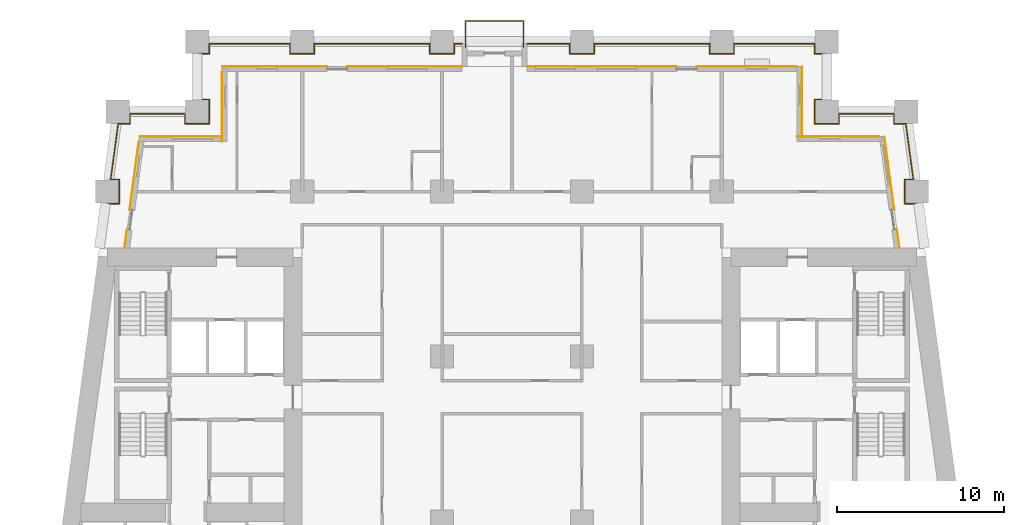
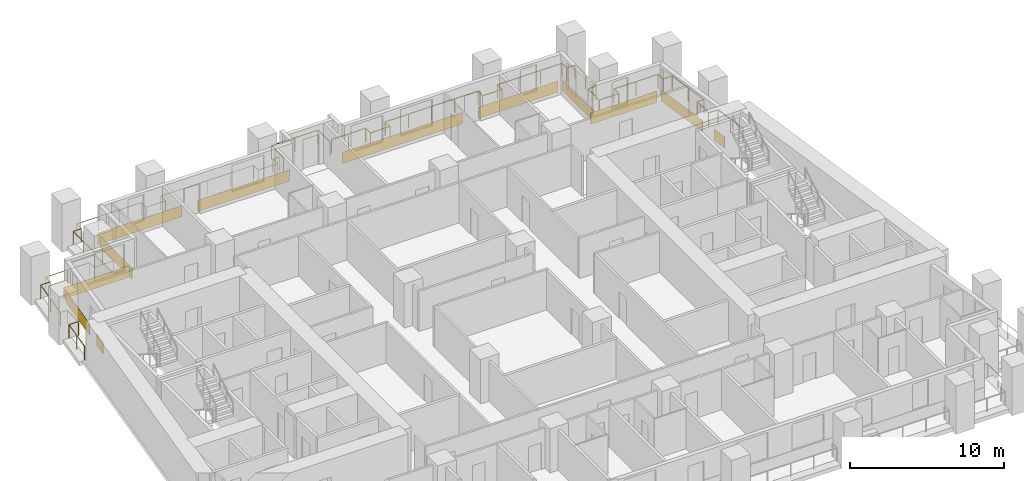
# One storey, part 11 of 12: 12 coverings, 3 railings.
"""IFC4 building model written with IfcOpenShell, lengths in metres."""

from ifc_helpers import new_model, si_unit, direction, frame, origin, origin_2d, place, context, subcontext, project, spatial, rectangle, circle, extrude, material, layer, layer_set, type_object, element, save


model = new_model("IFC4")

# Units and contexts
model_context = context("Model", 3, precision=1e-05, world=origin(), true_north=direction((0.0, 1.0)))
body_context = subcontext(model_context, "Body", "Model", "MODEL_VIEW")
ifc_project = project(units=[si_unit("LENGTHUNIT", "METRE"), si_unit("AREAUNIT", "SQUARE_METRE"), si_unit("VOLUMEUNIT", "CUBIC_METRE"), si_unit("PLANEANGLEUNIT", "RADIAN"), si_unit("MASSUNIT", "GRAM", prefix="KILO")], contexts=[model_context])

# Site, building, storey
site_placement = place(None, origin())
site = spatial("IfcSite", under=ifc_project, at=site_placement, CompositionType="ELEMENT")
building_placement = place(site_placement, origin())
building = spatial("IfcBuilding", under=site, at=building_placement, Name="Candeia Pilgrim Tower and Theatre", CompositionType="ELEMENT")
storey_placement = place(building_placement, frame((0.0, 0.0, 39.0)))
storey = spatial("IfcBuildingStorey", under=building, at=storey_placement, Name="L06", CompositionType="ELEMENT", Elevation=39.0)

# Railings
ifc_material_1 = material(Name="Stainless steel balustrade", Category="steel")
railing_type = type_object("IfcRailingType", Name="G1 loggia guard 1100", PredefinedType="GUARDRAIL", material=ifc_material_1)
railing_1_placement = place(storey_placement, frame((88.758544921875, 132.449951171875, 0.0)))
element("IfcRailing", 1, at=railing_1_placement, inside=storey, type_object=railing_type, Name="Guard L06.2", PredefinedType="GUARDRAIL", context=body_context, shape_type="SweptSolid", body=[
    extrude(circle(Radius=0.02392578125, at=origin_2d()), frame((0.0, 0.0, 1.076171875), z_axis=(0.133439920495, 0.991056904329, 0.0), x_axis=(-0.991056904329, 0.133439920495, 0.0)), (0.0, 0.0, 1.0), 2.643798828125),
    extrude(circle(Radius=0.02392578125, at=origin_2d()), frame((0.352783203125, 2.6201171875, 1.076171875), z_axis=(1.0, 0.0, 0.0), x_axis=(0.0, 1.0, 0.0)), (0.0, 0.0, 1.0), 0.70703125),
    extrude(circle(Radius=0.02392578125, at=origin_2d()), frame((1.059814453125, 2.6201171875, 1.076171875), z_axis=(0.0, 1.0, 0.0), x_axis=(-1.0, 0.0, 0.0)), (0.0, 0.0, 1.0), 1.4599609375),
    extrude(circle(Radius=0.02392578125, at=origin_2d()), frame((1.059814453125, 4.080078125, 1.076171875), z_axis=(-1.0, 0.0, 0.0), x_axis=(0.0, -1.0, 0.0)), (0.0, 0.0, 1.0), 0.510498046875),
    extrude(circle(Radius=0.02392578125, at=origin_2d()), frame((0.54931640625, 4.080078125, 1.076171875), z_axis=(0.133364121373, 0.991067107279, 0.0), x_axis=(-0.991067107279, 0.133364121373, 0.0)), (0.0, 0.0, 1.0), 3.3701171875),
    extrude(circle(Radius=0.02392578125, at=origin_2d()), frame((0.998779296875, 7.420166015625, 1.076171875), z_axis=(1.0, 0.0, 0.0), x_axis=(0.0, 1.0, 0.0)), (0.0, 0.0, 1.0), 0.707275390625),
    extrude(circle(Radius=0.02392578125, at=origin_2d()), frame((1.7060546875, 7.420166015625, 1.076171875), z_axis=(0.0, 1.0, 0.0), x_axis=(-1.0, 0.0, 0.0)), (0.0, 0.0, 1.0), 0.60986328125),
    extrude(circle(Radius=0.02392578125, at=origin_2d()), frame((1.7060546875, 8.030029296875, 1.076171875), z_axis=(1.0, 0.0, 0.0), x_axis=(0.0, 1.0, 0.0)), (0.0, 0.0, 1.0), 3.305419921875),
    extrude(circle(Radius=0.02392578125, at=origin_2d()), frame((5.011474609375, 8.030029296875, 1.076171875), z_axis=(0.0, -1.0, 0.0), x_axis=(1.0, 0.0, 0.0)), (0.0, 0.0, 1.0), 0.60986328125),
    extrude(circle(Radius=0.02392578125, at=origin_2d()), frame((5.011474609375, 7.420166015625, 1.076171875), z_axis=(1.0, 0.0, 0.0), x_axis=(0.0, 1.0, 0.0)), (0.0, 0.0, 1.0), 1.4599609375),
    extrude(circle(Radius=0.02392578125, at=origin_2d()), frame((6.471435546875, 7.420166015625, 1.076171875), z_axis=(0.0, 1.0, 0.0), x_axis=(-1.0, 0.0, 0.0)), (0.0, 0.0, 1.0), 1.4599609375),
    extrude(circle(Radius=0.02392578125, at=origin_2d()), frame((6.471435546875, 8.880126953125, 1.076171875), z_axis=(-1.0, 0.0, 0.0), x_axis=(0.0, -1.0, 0.0)), (0.0, 0.0, 1.0), 0.60986328125),
    extrude(circle(Radius=0.02392578125, at=origin_2d()), frame((5.861572265625, 8.880126953125, 1.076171875), z_axis=(0.0, 1.0, 0.0), x_axis=(-1.0, 0.0, 0.0)), (0.0, 0.0, 1.0), 2.739990234375),
    extrude(circle(Radius=0.02392578125, at=origin_2d()), frame((5.861572265625, 11.6201171875, 1.076171875), z_axis=(1.0, 0.0, 0.0), x_axis=(0.0, 1.0, 0.0)), (0.0, 0.0, 1.0), 0.60986328125),
    extrude(circle(Radius=0.02392578125, at=origin_2d()), frame((6.471435546875, 11.6201171875, 1.076171875), z_axis=(0.0, 1.0, 0.0), x_axis=(-1.0, 0.0, 0.0)), (0.0, 0.0, 1.0), 0.60986328125),
    extrude(circle(Radius=0.02392578125, at=origin_2d()), frame((6.471435546875, 12.22998046875, 1.076171875), z_axis=(1.0, 0.0, 0.0), x_axis=(0.0, 1.0, 0.0)), (0.0, 0.0, 1.0), 4.840087890625),
    extrude(circle(Radius=0.02392578125, at=origin_2d()), frame((11.3115234375, 12.22998046875, 1.076171875), z_axis=(0.0, -1.0, 0.0), x_axis=(1.0, 0.0, 0.0)), (0.0, 0.0, 1.0), 0.60986328125),
    extrude(circle(Radius=0.02392578125, at=origin_2d()), frame((11.3115234375, 11.6201171875, 1.076171875), z_axis=(1.0, 0.0, 0.0), x_axis=(0.0, 1.0, 0.0)), (0.0, 0.0, 1.0), 1.4599609375),
    extrude(circle(Radius=0.02392578125, at=origin_2d()), frame((12.771484375, 11.6201171875, 1.076171875), z_axis=(0.0, 1.0, 0.0), x_axis=(-1.0, 0.0, 0.0)), (0.0, 0.0, 1.0), 0.60986328125),
    extrude(circle(Radius=0.02392578125, at=origin_2d()), frame((12.771484375, 12.22998046875, 1.076171875), z_axis=(1.0, 0.0, 0.0), x_axis=(0.0, 1.0, 0.0)), (0.0, 0.0, 1.0), 6.93994140625),
    extrude(circle(Radius=0.02392578125, at=origin_2d()), frame((19.71142578125, 12.22998046875, 1.076171875), z_axis=(0.0, -1.0, 0.0), x_axis=(1.0, 0.0, 0.0)), (0.0, 0.0, 1.0), 0.60986328125),
    extrude(circle(Radius=0.02392578125, at=origin_2d()), frame((19.71142578125, 11.6201171875, 1.076171875), z_axis=(1.0, 0.0, 0.0), x_axis=(0.0, 1.0, 0.0)), (0.0, 0.0, 1.0), 1.4599609375),
    extrude(circle(Radius=0.02392578125, at=origin_2d()), frame((21.17138671875, 11.6201171875, 1.076171875), z_axis=(0.0, 1.0, 0.0), x_axis=(-1.0, 0.0, 0.0)), (0.0, 0.0, 1.0), 0.60986328125),
    extrude(circle(Radius=0.02392578125, at=origin_2d()), frame((21.17138671875, 12.22998046875, 1.076171875), z_axis=(1.0, 0.0, 0.0), x_axis=(0.0, 1.0, 0.0)), (0.0, 0.0, 1.0), 0.469970703125),
    extrude(circle(Radius=0.02099609375, at=origin_2d()), origin(), (0.0, 0.0, 1.0), 1.052001953125),
    extrude(circle(Radius=0.02099609375, at=origin_2d()), frame((0.17626953125, 1.31005859375, 0.0)), (0.0, 0.0, 1.0), 1.052001953125),
    extrude(circle(Radius=0.02099609375, at=origin_2d()), frame((0.352783203125, 2.6201171875, 0.0)), (0.0, 0.0, 1.0), 1.052001953125),
    extrude(circle(Radius=0.02099609375, at=origin_2d()), frame((1.059814453125, 2.6201171875, 0.0)), (0.0, 0.0, 1.0), 1.052001953125),
    extrude(circle(Radius=0.02099609375, at=origin_2d()), frame((1.059814453125, 4.080078125, 0.0)), (0.0, 0.0, 1.0), 1.052001953125),
    extrude(circle(Radius=0.02099609375, at=origin_2d()), frame((0.54931640625, 4.080078125, 0.0)), (0.0, 0.0, 1.0), 1.052001953125),
    extrude(circle(Radius=0.02099609375, at=origin_2d()), frame((0.77392578125, 5.75, 0.0)), (0.0, 0.0, 1.0), 1.052001953125),
    extrude(circle(Radius=0.02099609375, at=origin_2d()), frame((0.998779296875, 7.420166015625, 0.0)), (0.0, 0.0, 1.0), 1.052001953125),
    extrude(circle(Radius=0.02099609375, at=origin_2d()), frame((1.7060546875, 7.420166015625, 0.0)), (0.0, 0.0, 1.0), 1.052001953125),
    extrude(circle(Radius=0.02099609375, at=origin_2d()), frame((1.7060546875, 8.030029296875, 0.0)), (0.0, 0.0, 1.0), 1.052001953125),
    extrude(circle(Radius=0.02099609375, at=origin_2d()), frame((3.35888671875, 8.030029296875, 0.0)), (0.0, 0.0, 1.0), 1.052001953125),
    extrude(circle(Radius=0.02099609375, at=origin_2d()), frame((5.011474609375, 8.030029296875, 0.0)), (0.0, 0.0, 1.0), 1.052001953125),
    extrude(circle(Radius=0.02099609375, at=origin_2d()), frame((5.011474609375, 7.420166015625, 0.0)), (0.0, 0.0, 1.0), 1.052001953125),
    extrude(circle(Radius=0.02099609375, at=origin_2d()), frame((6.471435546875, 7.420166015625, 0.0)), (0.0, 0.0, 1.0), 1.052001953125),
    extrude(circle(Radius=0.02099609375, at=origin_2d()), frame((6.471435546875, 8.880126953125, 0.0)), (0.0, 0.0, 1.0), 1.052001953125),
    extrude(circle(Radius=0.02099609375, at=origin_2d()), frame((5.861572265625, 8.880126953125, 0.0)), (0.0, 0.0, 1.0), 1.052001953125),
    extrude(circle(Radius=0.02099609375, at=origin_2d()), frame((5.861572265625, 10.25, 0.0)), (0.0, 0.0, 1.0), 1.052001953125),
    extrude(circle(Radius=0.02099609375, at=origin_2d()), frame((5.861572265625, 11.6201171875, 0.0)), (0.0, 0.0, 1.0), 1.052001953125),
    extrude(circle(Radius=0.02099609375, at=origin_2d()), frame((6.471435546875, 11.6201171875, 0.0)), (0.0, 0.0, 1.0), 1.052001953125),
    extrude(circle(Radius=0.02099609375, at=origin_2d()), frame((6.471435546875, 12.22998046875, 0.0)), (0.0, 0.0, 1.0), 1.052001953125),
    extrude(circle(Radius=0.02099609375, at=origin_2d()), frame((8.084716796875, 12.22998046875, 0.0)), (0.0, 0.0, 1.0), 1.052001953125),
    extrude(circle(Radius=0.02099609375, at=origin_2d()), frame((9.6982421875, 12.22998046875, 0.0)), (0.0, 0.0, 1.0), 1.052001953125),
    extrude(circle(Radius=0.02099609375, at=origin_2d()), frame((11.3115234375, 12.22998046875, 0.0)), (0.0, 0.0, 1.0), 1.052001953125),
    extrude(circle(Radius=0.02099609375, at=origin_2d()), frame((11.3115234375, 11.6201171875, 0.0)), (0.0, 0.0, 1.0), 1.052001953125),
    extrude(circle(Radius=0.02099609375, at=origin_2d()), frame((12.771484375, 11.6201171875, 0.0)), (0.0, 0.0, 1.0), 1.052001953125),
    extrude(circle(Radius=0.02099609375, at=origin_2d()), frame((12.771484375, 12.22998046875, 0.0)), (0.0, 0.0, 1.0), 1.052001953125),
    extrude(circle(Radius=0.02099609375, at=origin_2d()), frame((14.50634765625, 12.22998046875, 0.0)), (0.0, 0.0, 1.0), 1.052001953125),
    extrude(circle(Radius=0.02099609375, at=origin_2d()), frame((16.241455078125, 12.22998046875, 0.0)), (0.0, 0.0, 1.0), 1.052001953125),
    extrude(circle(Radius=0.02099609375, at=origin_2d()), frame((17.9765625, 12.22998046875, 0.0)), (0.0, 0.0, 1.0), 1.052001953125),
    extrude(circle(Radius=0.02099609375, at=origin_2d()), frame((19.71142578125, 12.22998046875, 0.0)), (0.0, 0.0, 1.0), 1.052001953125),
    extrude(circle(Radius=0.02099609375, at=origin_2d()), frame((19.71142578125, 11.6201171875, 0.0)), (0.0, 0.0, 1.0), 1.052001953125),
    extrude(circle(Radius=0.02099609375, at=origin_2d()), frame((21.17138671875, 11.6201171875, 0.0)), (0.0, 0.0, 1.0), 1.052001953125),
    extrude(circle(Radius=0.02099609375, at=origin_2d()), frame((21.17138671875, 12.22998046875, 0.0)), (0.0, 0.0, 1.0), 1.052001953125),
    extrude(circle(Radius=0.02099609375, at=origin_2d()), frame((21.641357421875, 12.22998046875, 0.0)), (0.0, 0.0, 1.0), 1.052001953125),
])
railing_2_placement = place(storey_placement, frame((114.300048828125, 144.679931640625, 0.0)))
element("IfcRailing", 2, at=railing_2_placement, inside=storey, type_object=railing_type, Name="Guard L06.3", PredefinedType="GUARDRAIL", context=body_context, shape_type="SweptSolid", body=[
    extrude(circle(Radius=0.02392578125, at=origin_2d()), frame((0.0, 0.0, 1.076171875), z_axis=(1.0, 0.0, 0.0), x_axis=(0.0, 1.0, 0.0)), (0.0, 0.0, 1.0), 2.570068359375),
    extrude(circle(Radius=0.02392578125, at=origin_2d()), frame((2.570068359375, 0.0, 1.076171875), z_axis=(0.0, -1.0, 0.0), x_axis=(1.0, 0.0, 0.0)), (0.0, 0.0, 1.0), 0.60986328125),
    extrude(circle(Radius=0.02392578125, at=origin_2d()), frame((2.570068359375, -0.60986328125, 1.076171875), z_axis=(1.0, 0.0, 0.0), x_axis=(0.0, 1.0, 0.0)), (0.0, 0.0, 1.0), 1.4599609375),
    extrude(circle(Radius=0.02392578125, at=origin_2d()), frame((4.030029296875, -0.60986328125, 1.076171875), z_axis=(0.0, 1.0, 0.0), x_axis=(-1.0, 0.0, 0.0)), (0.0, 0.0, 1.0), 0.60986328125),
    extrude(circle(Radius=0.02392578125, at=origin_2d()), frame((4.030029296875, 0.0, 1.076171875), z_axis=(1.0, 0.0, 0.0), x_axis=(0.0, 1.0, 0.0)), (0.0, 0.0, 1.0), 6.93994140625),
    extrude(circle(Radius=0.02392578125, at=origin_2d()), frame((10.969970703125, 0.0, 1.076171875), z_axis=(0.0, -1.0, 0.0), x_axis=(1.0, 0.0, 0.0)), (0.0, 0.0, 1.0), 0.60986328125),
    extrude(circle(Radius=0.02392578125, at=origin_2d()), frame((10.969970703125, -0.60986328125, 1.076171875), z_axis=(1.0, 0.0, 0.0), x_axis=(0.0, 1.0, 0.0)), (0.0, 0.0, 1.0), 1.4599609375),
    extrude(circle(Radius=0.02392578125, at=origin_2d()), frame((12.429931640625, -0.60986328125, 1.076171875), z_axis=(0.0, 1.0, 0.0), x_axis=(-1.0, 0.0, 0.0)), (0.0, 0.0, 1.0), 0.60986328125),
    extrude(circle(Radius=0.02392578125, at=origin_2d()), frame((12.429931640625, 0.0, 1.076171875), z_axis=(1.0, 0.0, 0.0), x_axis=(0.0, 1.0, 0.0)), (0.0, 0.0, 1.0), 4.840087890625),
    extrude(circle(Radius=0.02392578125, at=origin_2d()), frame((17.27001953125, 0.0, 1.076171875), z_axis=(0.0, -1.0, 0.0), x_axis=(1.0, 0.0, 0.0)), (0.0, 0.0, 1.0), 0.60986328125),
    extrude(circle(Radius=0.02392578125, at=origin_2d()), frame((17.27001953125, -0.60986328125, 1.076171875), z_axis=(1.0, 0.0, 0.0), x_axis=(0.0, 1.0, 0.0)), (0.0, 0.0, 1.0), 0.60986328125),
    extrude(circle(Radius=0.02392578125, at=origin_2d()), frame((17.8798828125, -0.60986328125, 1.076171875), z_axis=(0.0, -1.0, 0.0), x_axis=(1.0, 0.0, 0.0)), (0.0, 0.0, 1.0), 2.739990234375),
    extrude(circle(Radius=0.02392578125, at=origin_2d()), frame((17.8798828125, -3.349853515625, 1.076171875), z_axis=(-1.0, 0.0, 0.0), x_axis=(0.0, -1.0, 0.0)), (0.0, 0.0, 1.0), 0.60986328125),
    extrude(circle(Radius=0.02392578125, at=origin_2d()), frame((17.27001953125, -3.349853515625, 1.076171875), z_axis=(0.0, -1.0, 0.0), x_axis=(1.0, 0.0, 0.0)), (0.0, 0.0, 1.0), 1.4599609375),
    extrude(circle(Radius=0.02392578125, at=origin_2d()), frame((17.27001953125, -4.809814453125, 1.076171875), z_axis=(1.0, 0.0, 0.0), x_axis=(0.0, 1.0, 0.0)), (0.0, 0.0, 1.0), 1.4599609375),
    extrude(circle(Radius=0.02392578125, at=origin_2d()), frame((18.72998046875, -4.809814453125, 1.076171875), z_axis=(0.0, 1.0, 0.0), x_axis=(-1.0, 0.0, 0.0)), (0.0, 0.0, 1.0), 0.60986328125),
    extrude(circle(Radius=0.02392578125, at=origin_2d()), frame((18.72998046875, -4.199951171875, 1.076171875), z_axis=(1.0, 0.0, 0.0), x_axis=(0.0, 1.0, 0.0)), (0.0, 0.0, 1.0), 3.305419921875),
    extrude(circle(Radius=0.02392578125, at=origin_2d()), frame((22.035400390625, -4.199951171875, 1.076171875), z_axis=(0.0, -1.0, 0.0), x_axis=(1.0, 0.0, 0.0)), (0.0, 0.0, 1.0), 0.60986328125),
    extrude(circle(Radius=0.02392578125, at=origin_2d()), frame((22.035400390625, -4.809814453125, 1.076171875), z_axis=(1.0, 0.0, 0.0), x_axis=(0.0, 1.0, 0.0)), (0.0, 0.0, 1.0), 0.70703125),
    extrude(circle(Radius=0.02392578125, at=origin_2d()), frame((22.742431640625, -4.809814453125, 1.076171875), z_axis=(0.133435273035, -0.991057530071, 0.0), x_axis=(0.991057530071, 0.133435273035, 0.0)), (0.0, 0.0, 1.0), 3.3701171875),
    extrude(circle(Radius=0.02392578125, at=origin_2d()), frame((23.192138671875, -8.14990234375, 1.076171875), z_axis=(-1.0, 0.0, 0.0), x_axis=(0.0, -1.0, 0.0)), (0.0, 0.0, 1.0), 0.5107421875),
    extrude(circle(Radius=0.02392578125, at=origin_2d()), frame((22.681396484375, -8.14990234375, 1.076171875), z_axis=(0.0, -1.0, 0.0), x_axis=(1.0, 0.0, 0.0)), (0.0, 0.0, 1.0), 1.4599609375),
    extrude(circle(Radius=0.02392578125, at=origin_2d()), frame((22.681396484375, -9.60986328125, 1.076171875), z_axis=(1.0, 0.0, 0.0), x_axis=(0.0, 1.0, 0.0)), (0.0, 0.0, 1.0), 0.707275390625),
    extrude(circle(Radius=0.02392578125, at=origin_2d()), frame((23.388671875, -9.60986328125, 1.076171875), z_axis=(0.133439920495, -0.991056904329, 0.0), x_axis=(0.991056904329, 0.133439920495, 0.0)), (0.0, 0.0, 1.0), 2.643798828125),
    extrude(circle(Radius=0.02099609375, at=origin_2d()), origin(), (0.0, 0.0, 1.0), 1.052001953125),
    extrude(circle(Radius=0.02099609375, at=origin_2d()), frame((1.28515625, 0.0, 0.0)), (0.0, 0.0, 1.0), 1.052001953125),
    extrude(circle(Radius=0.02099609375, at=origin_2d()), frame((2.570068359375, 0.0, 0.0)), (0.0, 0.0, 1.0), 1.052001953125),
    extrude(circle(Radius=0.02099609375, at=origin_2d()), frame((2.570068359375, -0.60986328125, 0.0)), (0.0, 0.0, 1.0), 1.052001953125),
    extrude(circle(Radius=0.02099609375, at=origin_2d()), frame((4.030029296875, -0.60986328125, 0.0)), (0.0, 0.0, 1.0), 1.052001953125),
    extrude(circle(Radius=0.02099609375, at=origin_2d()), frame((4.030029296875, 0.0, 0.0)), (0.0, 0.0, 1.0), 1.052001953125),
    extrude(circle(Radius=0.02099609375, at=origin_2d()), frame((5.76513671875, 0.0, 0.0)), (0.0, 0.0, 1.0), 1.052001953125),
    extrude(circle(Radius=0.02099609375, at=origin_2d()), frame((7.5, 0.0, 0.0)), (0.0, 0.0, 1.0), 1.052001953125),
    extrude(circle(Radius=0.02099609375, at=origin_2d()), frame((9.23486328125, 0.0, 0.0)), (0.0, 0.0, 1.0), 1.052001953125),
    extrude(circle(Radius=0.02099609375, at=origin_2d()), frame((10.969970703125, 0.0, 0.0)), (0.0, 0.0, 1.0), 1.052001953125),
    extrude(circle(Radius=0.02099609375, at=origin_2d()), frame((10.969970703125, -0.60986328125, 0.0)), (0.0, 0.0, 1.0), 1.052001953125),
    extrude(circle(Radius=0.02099609375, at=origin_2d()), frame((12.429931640625, -0.60986328125, 0.0)), (0.0, 0.0, 1.0), 1.052001953125),
    extrude(circle(Radius=0.02099609375, at=origin_2d()), frame((12.429931640625, 0.0, 0.0)), (0.0, 0.0, 1.0), 1.052001953125),
    extrude(circle(Radius=0.02099609375, at=origin_2d()), frame((14.043212890625, 0.0, 0.0)), (0.0, 0.0, 1.0), 1.052001953125),
    extrude(circle(Radius=0.02099609375, at=origin_2d()), frame((15.65673828125, 0.0, 0.0)), (0.0, 0.0, 1.0), 1.052001953125),
    extrude(circle(Radius=0.02099609375, at=origin_2d()), frame((17.27001953125, 0.0, 0.0)), (0.0, 0.0, 1.0), 1.052001953125),
    extrude(circle(Radius=0.02099609375, at=origin_2d()), frame((17.27001953125, -0.60986328125, 0.0)), (0.0, 0.0, 1.0), 1.052001953125),
    extrude(circle(Radius=0.02099609375, at=origin_2d()), frame((17.8798828125, -0.60986328125, 0.0)), (0.0, 0.0, 1.0), 1.052001953125),
    extrude(circle(Radius=0.02099609375, at=origin_2d()), frame((17.8798828125, -1.97998046875, 0.0)), (0.0, 0.0, 1.0), 1.052001953125),
    extrude(circle(Radius=0.02099609375, at=origin_2d()), frame((17.8798828125, -3.349853515625, 0.0)), (0.0, 0.0, 1.0), 1.052001953125),
    extrude(circle(Radius=0.02099609375, at=origin_2d()), frame((17.27001953125, -3.349853515625, 0.0)), (0.0, 0.0, 1.0), 1.052001953125),
    extrude(circle(Radius=0.02099609375, at=origin_2d()), frame((17.27001953125, -4.809814453125, 0.0)), (0.0, 0.0, 1.0), 1.052001953125),
    extrude(circle(Radius=0.02099609375, at=origin_2d()), frame((18.72998046875, -4.809814453125, 0.0)), (0.0, 0.0, 1.0), 1.052001953125),
    extrude(circle(Radius=0.02099609375, at=origin_2d()), frame((18.72998046875, -4.199951171875, 0.0)), (0.0, 0.0, 1.0), 1.052001953125),
    extrude(circle(Radius=0.02099609375, at=origin_2d()), frame((20.3828125, -4.199951171875, 0.0)), (0.0, 0.0, 1.0), 1.052001953125),
    extrude(circle(Radius=0.02099609375, at=origin_2d()), frame((22.035400390625, -4.199951171875, 0.0)), (0.0, 0.0, 1.0), 1.052001953125),
    extrude(circle(Radius=0.02099609375, at=origin_2d()), frame((22.035400390625, -4.809814453125, 0.0)), (0.0, 0.0, 1.0), 1.052001953125),
    extrude(circle(Radius=0.02099609375, at=origin_2d()), frame((22.742431640625, -4.809814453125, 0.0)), (0.0, 0.0, 1.0), 1.052001953125),
    extrude(circle(Radius=0.02099609375, at=origin_2d()), frame((22.96728515625, -6.47998046875, 0.0)), (0.0, 0.0, 1.0), 1.052001953125),
    extrude(circle(Radius=0.02099609375, at=origin_2d()), frame((23.192138671875, -8.14990234375, 0.0)), (0.0, 0.0, 1.0), 1.052001953125),
    extrude(circle(Radius=0.02099609375, at=origin_2d()), frame((22.681396484375, -8.14990234375, 0.0)), (0.0, 0.0, 1.0), 1.052001953125),
    extrude(circle(Radius=0.02099609375, at=origin_2d()), frame((22.681396484375, -9.60986328125, 0.0)), (0.0, 0.0, 1.0), 1.052001953125),
    extrude(circle(Radius=0.02099609375, at=origin_2d()), frame((23.388671875, -9.60986328125, 0.0)), (0.0, 0.0, 1.0), 1.052001953125),
    extrude(circle(Radius=0.02099609375, at=origin_2d()), frame((23.56494140625, -10.919921875, 0.0)), (0.0, 0.0, 1.0), 1.052001953125),
    extrude(circle(Radius=0.02099609375, at=origin_2d()), frame((23.741455078125, -12.22998046875, 0.0)), (0.0, 0.0, 1.0), 1.052001953125),
])
railing_3_placement = place(storey_placement, frame((110.610107421875, 144.5, 0.0)))
element("IfcRailing", 3, at=railing_3_placement, inside=storey, type_object=railing_type, Name="Balcony guard L06", PredefinedType="GUARDRAIL", context=body_context, shape_type="SweptSolid", body=[
    extrude(circle(Radius=0.02392578125, at=origin_2d()), frame((0.0, 0.0, 1.076171875), z_axis=(0.0, 1.0, 0.0), x_axis=(-1.0, 0.0, 0.0)), (0.0, 0.0, 1.0), 1.5400390625),
    extrude(circle(Radius=0.02392578125, at=origin_2d()), frame((0.0, 1.5400390625, 1.076171875), z_axis=(1.0, 0.0, 0.0), x_axis=(0.0, 1.0, 0.0)), (0.0, 0.0, 1.0), 3.47998046875),
    extrude(circle(Radius=0.02392578125, at=origin_2d()), frame((3.47998046875, 1.5400390625, 1.076171875), z_axis=(0.0, -1.0, 0.0), x_axis=(1.0, 0.0, 0.0)), (0.0, 0.0, 1.0), 1.5400390625),
    extrude(circle(Radius=0.02099609375, at=origin_2d()), origin(), (0.0, 0.0, 1.0), 1.052001953125),
    extrude(circle(Radius=0.02099609375, at=origin_2d()), frame((0.0, 1.5400390625, 0.0)), (0.0, 0.0, 1.0), 1.052001953125),
    extrude(circle(Radius=0.02099609375, at=origin_2d()), frame((1.739990234375, 1.5400390625, 0.0)), (0.0, 0.0, 1.0), 1.052001953125),
    extrude(circle(Radius=0.02099609375, at=origin_2d()), frame((3.47998046875, 1.5400390625, 0.0)), (0.0, 0.0, 1.0), 1.052001953125),
    extrude(circle(Radius=0.02099609375, at=origin_2d()), frame((3.47998046875, 0.0, 0.0)), (0.0, 0.0, 1.0), 1.052001953125),
])

# Coverings
ifc_material_2 = material(Name="Glazed ceramic tile deep red")
ifc_layer = layer(ifc_material_2, 0.02001953125)
ifc_layer_set = layer_set([ifc_layer], Name="Glazed ceramic tile deep red")
covering_type = type_object("IfcCoveringType", Name="Glazed ceramic tile deep red", PredefinedType="CLADDING", material=ifc_layer_set)
covering_1_placement = place(storey_placement, frame((136.588623046875, 132.97412109375, 0.0), z_axis=(0.0, 0.0, 1.0), x_axis=(-0.133412012145, 0.991060661622, 0.0)))
element("IfcCovering", 4, at=covering_1_placement, inside=storey, type_object=covering_type, Name="Tile cladding deep red L06", PredefinedType="CLADDING", context=body_context, shape_type="SweptSolid", body=[
    extrude(rectangle(XDim=1.115234375, YDim=0.02001953125, at=origin_2d()), origin(), (0.0, 0.0, 1.0), 0.89990234375),
])
covering_2_placement = place(storey_placement, frame((136.058837890625, 136.90869140625, 0.0), z_axis=(0.0, 0.0, 1.0), x_axis=(-0.133412012145, 0.991060661622, 0.0)))
element("IfcCovering", 5, at=covering_2_placement, inside=storey, type_object=covering_type, Name="Tile cladding deep red L06", PredefinedType="CLADDING", context=body_context, shape_type="SweptSolid", body=[
    extrude(rectangle(XDim=4.4248046875, YDim=0.02001953125, at=origin_2d()), origin(), (0.0, 0.0, 1.0), 0.89990234375),
])
covering_3_placement = place(storey_placement, frame((132.976318359375, 139.110107421875, 0.0), z_axis=(0.0, 0.0, 1.0), x_axis=(-1.0, 0.0, 0.0)))
element("IfcCovering", 6, at=covering_3_placement, inside=storey, type_object=covering_type, Name="Tile cladding deep red L06", PredefinedType="CLADDING", context=body_context, shape_type="SweptSolid", body=[
    extrude(rectangle(XDim=4.95263671875, YDim=0.02001953125, at=origin_2d()), origin(), (0.0, 0.0, 1.0), 0.89990234375),
])
covering_4_placement = place(storey_placement, frame((130.81005859375, 141.2099609375, 0.0), z_axis=(0.0, 0.0, 1.0), x_axis=(0.0, 1.0, 0.0)))
element("IfcCovering", 7, at=covering_4_placement, inside=storey, type_object=covering_type, Name="Tile cladding deep red L06", PredefinedType="CLADDING", context=body_context, shape_type="SweptSolid", body=[
    extrude(rectangle(XDim=4.179931640625, YDim=0.02001953125, at=origin_2d()), origin(), (0.0, 0.0, 1.0), 0.89990234375),
])
covering_5_placement = place(storey_placement, frame((127.489990234375, 143.31005859375, 0.0), z_axis=(0.0, 0.0, 1.0), x_axis=(-1.0, 0.0, 0.0)))
element("IfcCovering", 8, at=covering_5_placement, inside=storey, type_object=covering_type, Name="Tile cladding deep red L06", PredefinedType="CLADDING", context=body_context, shape_type="SweptSolid", body=[
    extrude(rectangle(XDim=5.97998046875, YDim=0.02001953125, at=origin_2d()), origin(), (0.0, 0.0, 1.0), 0.89990234375),
])
covering_6_placement = place(storey_placement, frame((118.800048828125, 143.31005859375, 0.0), z_axis=(0.0, 0.0, 1.0), x_axis=(-1.0, 0.0, 0.0)))
element("IfcCovering", 9, at=covering_6_placement, inside=storey, type_object=covering_type, Name="Tile cladding deep red L06", PredefinedType="CLADDING", context=body_context, shape_type="SweptSolid", body=[
    extrude(rectangle(XDim=9.0, YDim=0.02001953125, at=origin_2d()), origin(), (0.0, 0.0, 1.0), 0.89990234375),
])
covering_7_placement = place(storey_placement, frame((106.949951171875, 143.31005859375, 0.0), z_axis=(0.0, 0.0, 1.0), x_axis=(-1.0, 0.0, 0.0)))
element("IfcCovering", 10, at=covering_7_placement, inside=storey, type_object=covering_type, Name="Tile cladding deep red L06", PredefinedType="CLADDING", context=body_context, shape_type="SweptSolid", body=[
    extrude(rectangle(XDim=6.89990234375, YDim=0.02001953125, at=origin_2d()), origin(), (0.0, 0.0, 1.0), 0.89990234375),
])
covering_8_placement = place(storey_placement, frame((99.14990234375, 143.31005859375, 0.0), z_axis=(0.0, 0.0, 1.0), x_axis=(-1.0, 0.0, 0.0)))
element("IfcCovering", 11, at=covering_8_placement, inside=storey, type_object=covering_type, Name="Tile cladding deep red L06", PredefinedType="CLADDING", context=body_context, shape_type="SweptSolid", body=[
    extrude(rectangle(XDim=6.300048828125, YDim=0.02001953125, at=origin_2d()), origin(), (0.0, 0.0, 1.0), 0.89990234375),
])
covering_9_placement = place(storey_placement, frame((95.989990234375, 140.889892578125, 0.0), z_axis=(0.0, 0.0, 1.0), x_axis=(0.0, -1.0, 0.0)))
element("IfcCovering", 12, at=covering_9_placement, inside=storey, type_object=covering_type, Name="Tile cladding deep red L06", PredefinedType="CLADDING", context=body_context, shape_type="SweptSolid", body=[
    extrude(rectangle(XDim=4.179931640625, YDim=0.02001953125, at=origin_2d()), origin(), (0.0, 0.0, 1.0), 0.89990234375),
])
covering_10_placement = place(storey_placement, frame((93.51318359375, 139.110107421875, 0.0), z_axis=(0.0, 0.0, 1.0), x_axis=(-1.0, 0.0, 0.0)))
element("IfcCovering", 13, at=covering_10_placement, inside=storey, type_object=covering_type, Name="Tile cladding deep red L06", PredefinedType="CLADDING", context=body_context, shape_type="SweptSolid", body=[
    extrude(rectangle(XDim=4.933837890625, YDim=0.02001953125, at=origin_2d()), origin(), (0.0, 0.0, 1.0), 0.89990234375),
])
covering_11_placement = place(storey_placement, frame((90.720947265625, 136.759521484375, 0.0), z_axis=(0.0, 0.0, 1.0), x_axis=(-0.133412012145, -0.991060661622, 0.0)))
element("IfcCovering", 14, at=covering_11_placement, inside=storey, type_object=covering_type, Name="Tile cladding deep red L06", PredefinedType="CLADDING", context=body_context, shape_type="SweptSolid", body=[
    extrude(rectangle(XDim=4.123779296875, YDim=0.02001953125, at=origin_2d()), origin(), (0.0, 0.0, 1.0), 0.89990234375),
])
covering_12_placement = place(storey_placement, frame((90.21142578125, 132.97412109375, 0.0), z_axis=(0.0, 0.0, 1.0), x_axis=(-0.133412012145, -0.991060661622, 0.0)))
element("IfcCovering", 15, at=covering_12_placement, inside=storey, type_object=covering_type, Name="Tile cladding deep red L06", PredefinedType="CLADDING", context=body_context, shape_type="SweptSolid", body=[
    extrude(rectangle(XDim=1.115234375, YDim=0.02001953125, at=origin_2d()), origin(), (0.0, 0.0, 1.0), 0.89990234375),
])

save(model, "model.ifc")
